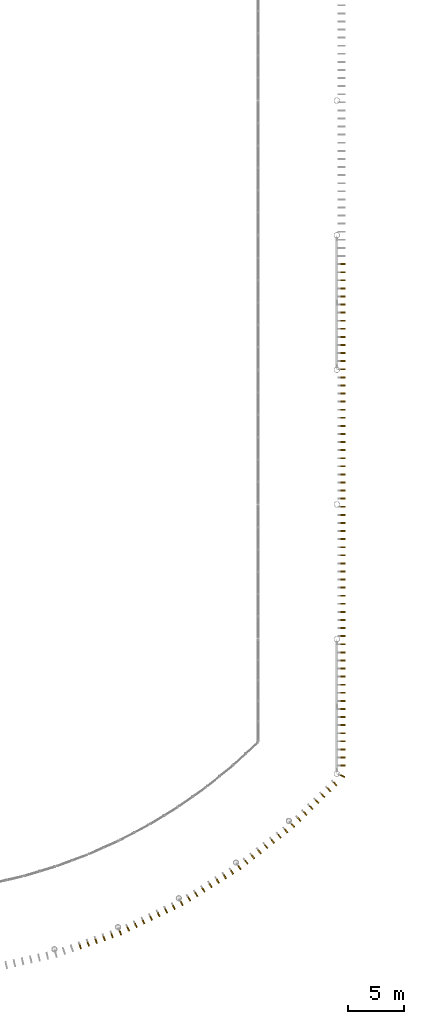
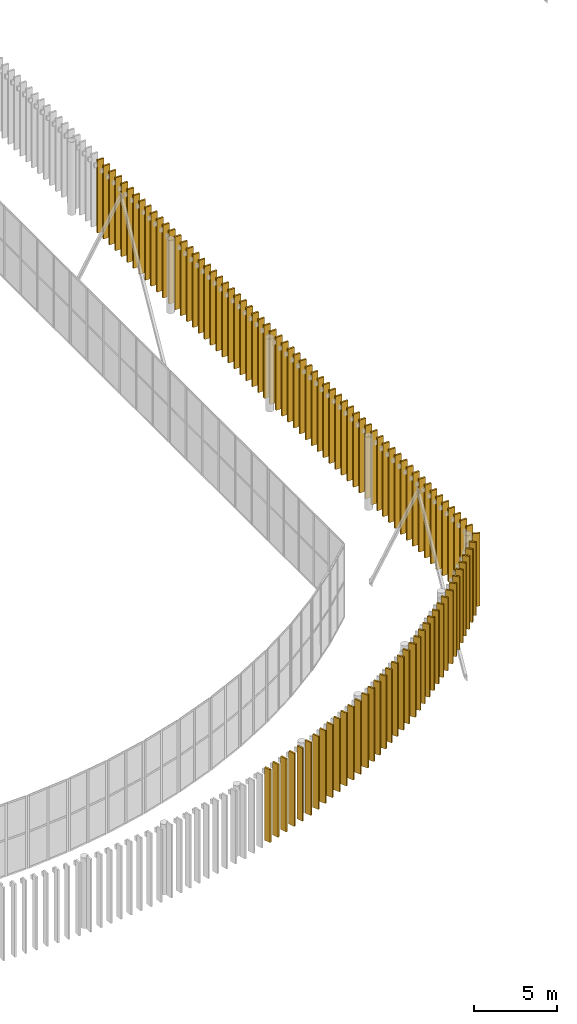
# One storey, part 158 of 170: 101 shading devices.
"""IFC4 building model written with IfcOpenShell, lengths in metres."""

from ifc_helpers import new_model, si_unit, direction, frame, origin, origin_2d, place, context, subcontext, project, spatial, rectangle, extrude, material, layer, layer_set, type_object, element, save


model = new_model("IFC4")

# Units and contexts
model_context = context("Model", 3, precision=1e-05, world=origin(), true_north=direction((0.0, 1.0)))
body_context = subcontext(model_context, "Body", "Model", "MODEL_VIEW")
ifc_project = project(units=[si_unit("LENGTHUNIT", "METRE"), si_unit("AREAUNIT", "SQUARE_METRE"), si_unit("VOLUMEUNIT", "CUBIC_METRE"), si_unit("PLANEANGLEUNIT", "RADIAN"), si_unit("MASSUNIT", "GRAM", prefix="KILO")], contexts=[model_context])

# Site, building, storey
site_placement = place(None, origin())
site = spatial("IfcSite", under=ifc_project, at=site_placement, CompositionType="ELEMENT")
building_placement = place(site_placement, origin())
building = spatial("IfcBuilding", under=site, at=building_placement, Name="Ravi Spectrum Wholesale Market", CompositionType="ELEMENT")
storey_placement = place(building_placement, frame((0.0, 0.0, 5.39990234375)))
storey = spatial("IfcBuildingStorey", under=building, at=storey_placement, Name="L01", CompositionType="ELEMENT", Elevation=5.39990234375)

# Shading devices
ifc_material_1 = material(Name="Glazed ceramic red 01")
ifc_layer_1 = layer(ifc_material_1, 0.1201171875)
ifc_layer_set_1 = layer_set([ifc_layer_1], Name="Glazed ceramic red 01")
shading_device_type_1 = type_object("IfcShadingDeviceType", Name="Glazed ceramic fin 01", PredefinedType="USERDEFINED", material=ifc_layer_set_1)
for number, where, z_axis, x_axis, name in (
    (1, (87.121337890625, 14.592041015625, 0.000244140625), (0.0, 0.0, 1.0), (0.944847087681, 0.32751180269, 0.0), "Fin F317 Glazed ceramic red 01"),
    (2, (87.830322265625, 14.837890625, 0.000244140625), (0.0, 0.0, 1.0), (0.944847087681, 0.32751180269, 0.0), "Fin F318 Glazed ceramic red 01"),
    (3, (88.539306640625, 15.08349609375, 0.000244140625), (0.0, 0.0, 1.0), (0.944847087681, 0.32751180269, 0.0), "Fin F319 Glazed ceramic red 01"),
    (4, (89.248291015625, 15.329345703125, 0.000244140625), (0.0, 0.0, 1.0), (0.944847087681, 0.32751180269, 0.0), "Fin F320 Glazed ceramic red 01"),
    (5, (89.957275390625, 15.574951171875, 0.000244140625), (0.0, 0.0, 1.0), (0.944847087681, 0.32751180269, 0.0), "Fin F321 Glazed ceramic red 01"),
    (6, (90.693359375, 15.8310546875, 0.000244140625), (0.0, 0.0, 1.0), (0.925182397026, 0.379522769057, 0.0), "Fin F322 Glazed ceramic red 01"),
    (7, (91.3974609375, 16.166015625, 0.000244140625), (0.0, 0.0, 1.0), (0.902657189799, 0.430360311488, 0.0), "Fin F323 Glazed ceramic red 01"),
    (8, (92.07470703125, 16.48876953125, 0.000244140625), (0.0, 0.0, 1.0), (0.902657189799, 0.430360311488, 0.0), "Fin F324 Glazed ceramic red 01"),
    (9, (92.752197265625, 16.811767578125, 0.000244140625), (0.0, 0.0, 1.0), (0.902657189799, 0.430360311488, 0.0), "Fin F325 Glazed ceramic red 01"),
    (10, (93.429443359375, 17.134765625, 0.000244140625), (0.0, 0.0, 1.0), (0.902657189799, 0.430360311488, 0.0), "Fin F326 Glazed ceramic red 01"),
    (11, (94.106689453125, 17.45751953125, 0.000244140625), (0.0, 0.0, 1.0), (0.902657189799, 0.430360311488, 0.0), "Fin F327 Glazed ceramic red 01"),
    (12, (94.7841796875, 17.780517578125, 0.000244140625), (0.0, 0.0, 1.0), (0.902657189799, 0.430360311488, 0.0), "Fin F328 Glazed ceramic red 01"),
    (13, (95.46142578125, 18.103515625, 0.000244140625), (0.0, 0.0, 1.0), (0.902657189799, 0.430360311488, 0.0), "Fin F329 Glazed ceramic red 01"),
    (14, (96.164794921875, 18.439697265625, 0.000244140625), (0.0, 0.0, 1.0), (0.877341110352, 0.4798672484, 0.0), "Fin F330 Glazed ceramic red 01"),
    (15, (96.827392578125, 18.8505859375, 0.000244140625), (0.0, 0.0, 1.0), (0.849312431968, 0.527890512232, 0.0), "Fin F331 Glazed ceramic red 01"),
    (16, (97.464599609375, 19.24658203125, 0.000244140625), (0.0, 0.0, 1.0), (0.849312431968, 0.527890512232, 0.0), "Fin F332 Glazed ceramic red 01"),
    (17, (98.101806640625, 19.642822265625, 0.000244140625), (0.0, 0.0, 1.0), (0.849312431968, 0.527890512232, 0.0), "Fin F333 Glazed ceramic red 01"),
):
    element("IfcShadingDevice", number, at=place(storey_placement, frame(where, z_axis=z_axis, x_axis=x_axis)), inside=storey, type_object=shading_device_type_1, Name=name, ObjectType="FIN", PredefinedType="USERDEFINED", context=body_context, shape_type="SweptSolid", body=[
        extrude(rectangle(XDim=0.1201171875, YDim=0.449951171875, at=origin_2d()), origin(), (0.0, 0.0, 1.0), 5.39990234375),
    ])
ifc_material_2 = material(Name="Glazed ceramic vermilion 02")
ifc_layer_2 = layer(ifc_material_2, 0.1201171875)
ifc_layer_set_2 = layer_set([ifc_layer_2], Name="Glazed ceramic vermilion 02")
shading_device_type_2 = type_object("IfcShadingDeviceType", Name="Glazed ceramic fin 02", PredefinedType="USERDEFINED", material=ifc_layer_set_2)
for number, where, z_axis, x_axis, name in (
    (18, (98.7392578125, 20.038818359375, 0.000244140625), (0.0, 0.0, 1.0), (0.849312431968, 0.527890512232, 0.0), "Fin F334 Glazed ceramic vermilion 02"),
    (19, (99.37646484375, 20.43505859375, 0.000244140625), (0.0, 0.0, 1.0), (0.849312431968, 0.527890512232, 0.0), "Fin F335 Glazed ceramic vermilion 02"),
    (20, (100.013671875, 20.8310546875, 0.000244140625), (0.0, 0.0, 1.0), (0.849312431968, 0.527890512232, 0.0), "Fin F336 Glazed ceramic vermilion 02"),
    (21, (100.651123046875, 21.227294921875, 0.000244140625), (0.0, 0.0, 1.0), (0.849312431968, 0.527890512232, 0.0), "Fin F337 Glazed ceramic vermilion 02"),
    (22, (101.312744140625, 21.639404296875, 0.000244140625), (0.0, 0.0, 1.0), (0.818657814856, 0.574281622703, 0.0), "Fin F338 Glazed ceramic vermilion 02"),
    (23, (101.925537109375, 22.121337890625, 0.000244140625), (0.0, 0.0, 1.0), (0.785472038209, 0.618897145891, 0.0), "Fin F339 Glazed ceramic vermilion 02"),
    (24, (102.514892578125, 22.585693359375, 0.000244140625), (0.0, 0.0, 1.0), (0.785472038209, 0.618897145891, 0.0), "Fin F340 Glazed ceramic vermilion 02"),
    (25, (103.104248046875, 23.050048828125, 0.000244140625), (0.0, 0.0, 1.0), (0.785472038209, 0.618897145891, 0.0), "Fin F341 Glazed ceramic vermilion 02"),
    (26, (103.693603515625, 23.514404296875, 0.000244140625), (0.0, 0.0, 1.0), (0.785472038209, 0.618897145891, 0.0), "Fin F342 Glazed ceramic vermilion 02"),
    (27, (104.283203125, 23.978759765625, 0.000244140625), (0.0, 0.0, 1.0), (0.785472038209, 0.618897145891, 0.0), "Fin F343 Glazed ceramic vermilion 02"),
    (28, (104.87255859375, 24.443115234375, 0.000244140625), (0.0, 0.0, 1.0), (0.785472038209, 0.618897145891, 0.0), "Fin F344 Glazed ceramic vermilion 02"),
    (29, (105.4619140625, 24.90771484375, 0.000244140625), (0.0, 0.0, 1.0), (0.785472038209, 0.618897145891, 0.0), "Fin F345 Glazed ceramic vermilion 02"),
    (30, (106.07373046875, 25.390625, 0.000244140625), (0.0, 0.0, 1.0), (0.74985770716, 0.661599137706, 0.0), "Fin F346 Glazed ceramic vermilion 02"),
    (31, (106.629150390625, 25.9375, 0.000244140625), (0.0, 0.0, 1.0), (0.711924935547, 0.702255570392, 0.0), "Fin F347 Glazed ceramic vermilion 02"),
    (32, (107.163330078125, 26.464599609375, 0.000244140625), (0.0, 0.0, 1.0), (0.711924935547, 0.702255570392, 0.0), "Fin F348 Glazed ceramic vermilion 02"),
    (33, (107.69775390625, 26.991455078125, 0.000244140625), (0.0, 0.0, 1.0), (0.711924935547, 0.702255570392, 0.0), "Fin F349 Glazed ceramic vermilion 02"),
):
    element("IfcShadingDevice", number, at=place(storey_placement, frame(where, z_axis=z_axis, x_axis=x_axis)), inside=storey, type_object=shading_device_type_2, Name=name, ObjectType="FIN", PredefinedType="USERDEFINED", context=body_context, shape_type="SweptSolid", body=[
        extrude(rectangle(XDim=0.1201171875, YDim=0.449951171875, at=origin_2d()), origin(), (0.0, 0.0, 1.0), 5.39990234375),
    ])
ifc_material_3 = material(Name="Glazed ceramic orange 03")
ifc_layer_3 = layer(ifc_material_3, 0.1201171875)
ifc_layer_set_3 = layer_set([ifc_layer_3], Name="Glazed ceramic orange 03")
shading_device_type_3 = type_object("IfcShadingDeviceType", Name="Glazed ceramic fin 03", PredefinedType="USERDEFINED", material=ifc_layer_set_3)
for number, where, z_axis, x_axis, name in (
    (34, (108.23193359375, 27.5185546875, 0.000244140625), (0.0, 0.0, 1.0), (0.711924935547, 0.702255570392, 0.0), "Fin F350 Glazed ceramic orange 03"),
    (35, (108.76611328125, 28.04541015625, 0.000244140625), (0.0, 0.0, 1.0), (0.711924935547, 0.702255570392, 0.0), "Fin F351 Glazed ceramic orange 03"),
    (36, (109.30029296875, 28.572265625, 0.000244140625), (0.0, 0.0, 1.0), (0.711924935547, 0.702255570392, 0.0), "Fin F352 Glazed ceramic orange 03"),
    (37, (109.83447265625, 29.099365234375, 0.000244140625), (0.0, 0.0, 1.0), (0.711924935547, 0.702255570392, 0.0), "Fin F353 Glazed ceramic orange 03"),
    (38, (110.484375, 29.79736328125, 0.000244140625), (0.0, 0.0, 1.0), (0.385839623157, 0.922565870387, 0.0), "Fin F354 Glazed ceramic orange 03"),
    (39, (110.52490234375, 30.720947265625, 0.000244140625), (0.0, 0.0, 1.0), (0.0, 1.0, 0.0), "Fin F355 Glazed ceramic orange 03"),
    (40, (110.52490234375, 31.442138671875, 0.000244140625), (0.0, 0.0, 1.0), (0.0, 1.0, 0.0), "Fin F356 Glazed ceramic orange 03"),
    (41, (110.52490234375, 32.1630859375, 0.000244140625), (0.0, 0.0, 1.0), (0.0, 1.0, 0.0), "Fin F357 Glazed ceramic orange 03"),
    (42, (110.52490234375, 32.884033203125, 0.000244140625), (0.0, 0.0, 1.0), (0.0, 1.0, 0.0), "Fin F358 Glazed ceramic orange 03"),
    (43, (110.52490234375, 33.605224609375, 0.000244140625), (0.0, 0.0, 1.0), (0.0, 1.0, 0.0), "Fin F359 Glazed ceramic orange 03"),
    (44, (110.52490234375, 34.326171875, 0.000244140625), (0.0, 0.0, 1.0), (0.0, 1.0, 0.0), "Fin F360 Glazed ceramic orange 03"),
    (45, (110.52490234375, 35.047119140625, 0.000244140625), (0.0, 0.0, 1.0), (0.0, 1.0, 0.0), "Fin F361 Glazed ceramic orange 03"),
):
    element("IfcShadingDevice", number, at=place(storey_placement, frame(where, z_axis=z_axis, x_axis=x_axis)), inside=storey, type_object=shading_device_type_3, Name=name, ObjectType="FIN", PredefinedType="USERDEFINED", context=body_context, shape_type="SweptSolid", body=[
        extrude(rectangle(XDim=0.1201171875, YDim=0.449951171875, at=origin_2d()), origin(), (0.0, 0.0, 1.0), 5.39990234375),
    ])
ifc_material_4 = material(Name="Glazed ceramic orange 04")
ifc_layer_4 = layer(ifc_material_4, 0.1201171875)
ifc_layer_set_4 = layer_set([ifc_layer_4], Name="Glazed ceramic orange 04")
shading_device_type_4 = type_object("IfcShadingDeviceType", Name="Glazed ceramic fin 04", PredefinedType="USERDEFINED", material=ifc_layer_set_4)
for number, where, z_axis, x_axis, name in (
    (46, (110.52490234375, 35.768310546875, 0.000244140625), (0.0, 0.0, 1.0), (0.0, 1.0, 0.0), "Fin F362 Glazed ceramic orange 04"),
    (47, (110.52490234375, 36.4892578125, 0.000244140625), (0.0, 0.0, 1.0), (0.0, 1.0, 0.0), "Fin F363 Glazed ceramic orange 04"),
    (48, (110.52490234375, 37.210205078125, 0.000244140625), (0.0, 0.0, 1.0), (0.0, 1.0, 0.0), "Fin F364 Glazed ceramic orange 04"),
    (49, (110.52490234375, 37.931396484375, 0.000244140625), (0.0, 0.0, 1.0), (0.0, 1.0, 0.0), "Fin F365 Glazed ceramic orange 04"),
    (50, (110.52490234375, 38.65234375, 0.000244140625), (0.0, 0.0, 1.0), (0.0, 1.0, 0.0), "Fin F366 Glazed ceramic orange 04"),
    (51, (110.52490234375, 39.373291015625, 0.000244140625), (0.0, 0.0, 1.0), (0.0, 1.0, 0.0), "Fin F367 Glazed ceramic orange 04"),
    (52, (110.52490234375, 40.094482421875, 0.000244140625), (0.0, 0.0, 1.0), (0.0, 1.0, 0.0), "Fin F368 Glazed ceramic orange 04"),
    (53, (110.52490234375, 40.8154296875, 0.000244140625), (0.0, 0.0, 1.0), (0.0, 1.0, 0.0), "Fin F369 Glazed ceramic orange 04"),
    (54, (110.52490234375, 41.536376953125, 0.000244140625), (0.0, 0.0, 1.0), (0.0, 1.0, 0.0), "Fin F370 Glazed ceramic orange 04"),
    (55, (110.52490234375, 42.257568359375, 0.000244140625), (0.0, 0.0, 1.0), (0.0, 1.0, 0.0), "Fin F371 Glazed ceramic orange 04"),
    (56, (110.52490234375, 42.978515625, 0.000244140625), (0.0, 0.0, 1.0), (0.0, 1.0, 0.0), "Fin F372 Glazed ceramic orange 04"),
):
    element("IfcShadingDevice", number, at=place(storey_placement, frame(where, z_axis=z_axis, x_axis=x_axis)), inside=storey, type_object=shading_device_type_4, Name=name, ObjectType="FIN", PredefinedType="USERDEFINED", context=body_context, shape_type="SweptSolid", body=[
        extrude(rectangle(XDim=0.1201171875, YDim=0.449951171875, at=origin_2d()), origin(), (0.0, 0.0, 1.0), 5.39990234375),
    ])
ifc_material_5 = material(Name="Glazed ceramic amber 05")
ifc_layer_5 = layer(ifc_material_5, 0.1201171875)
ifc_layer_set_5 = layer_set([ifc_layer_5], Name="Glazed ceramic amber 05")
shading_device_type_5 = type_object("IfcShadingDeviceType", Name="Glazed ceramic fin 05", PredefinedType="USERDEFINED", material=ifc_layer_set_5)
for number, where, z_axis, x_axis, name in (
    (57, (110.52490234375, 43.699462890625, 0.000244140625), (0.0, 0.0, 1.0), (0.0, 1.0, 0.0), "Fin F373 Glazed ceramic amber 05"),
    (58, (110.52490234375, 44.420654296875, 0.000244140625), (0.0, 0.0, 1.0), (0.0, 1.0, 0.0), "Fin F374 Glazed ceramic amber 05"),
    (59, (110.52490234375, 45.1416015625, 0.000244140625), (0.0, 0.0, 1.0), (0.0, 1.0, 0.0), "Fin F375 Glazed ceramic amber 05"),
    (60, (110.52490234375, 45.862548828125, 0.000244140625), (0.0, 0.0, 1.0), (0.0, 1.0, 0.0), "Fin F376 Glazed ceramic amber 05"),
    (61, (110.52490234375, 46.583740234375, 0.000244140625), (0.0, 0.0, 1.0), (0.0, 1.0, 0.0), "Fin F377 Glazed ceramic amber 05"),
    (62, (110.52490234375, 47.3046875, 0.000244140625), (0.0, 0.0, 1.0), (0.0, 1.0, 0.0), "Fin F378 Glazed ceramic amber 05"),
    (63, (110.52490234375, 48.025634765625, 0.000244140625), (0.0, 0.0, 1.0), (0.0, 1.0, 0.0), "Fin F379 Glazed ceramic amber 05"),
    (64, (110.52490234375, 48.746826171875, 0.000244140625), (0.0, 0.0, 1.0), (0.0, 1.0, 0.0), "Fin F380 Glazed ceramic amber 05"),
    (65, (110.52490234375, 49.4677734375, 0.000244140625), (0.0, 0.0, 1.0), (0.0, 1.0, 0.0), "Fin F381 Glazed ceramic amber 05"),
    (66, (110.52490234375, 50.188720703125, 0.000244140625), (0.0, 0.0, 1.0), (0.0, 1.0, 0.0), "Fin F382 Glazed ceramic amber 05"),
    (67, (110.52490234375, 50.909912109375, 0.000244140625), (0.0, 0.0, 1.0), (0.0, 1.0, 0.0), "Fin F383 Glazed ceramic amber 05"),
):
    element("IfcShadingDevice", number, at=place(storey_placement, frame(where, z_axis=z_axis, x_axis=x_axis)), inside=storey, type_object=shading_device_type_5, Name=name, ObjectType="FIN", PredefinedType="USERDEFINED", context=body_context, shape_type="SweptSolid", body=[
        extrude(rectangle(XDim=0.1201171875, YDim=0.449951171875, at=origin_2d()), origin(), (0.0, 0.0, 1.0), 5.39990234375),
    ])
ifc_material_6 = material(Name="Glazed ceramic yellow 06")
ifc_layer_6 = layer(ifc_material_6, 0.1201171875)
ifc_layer_set_6 = layer_set([ifc_layer_6], Name="Glazed ceramic yellow 06")
shading_device_type_6 = type_object("IfcShadingDeviceType", Name="Glazed ceramic fin 06", PredefinedType="USERDEFINED", material=ifc_layer_set_6)
for number, where, z_axis, x_axis, name in (
    (68, (110.52490234375, 51.630859375, 0.000244140625), (0.0, 0.0, 1.0), (0.0, 1.0, 0.0), "Fin F384 Glazed ceramic yellow 06"),
    (69, (110.52490234375, 52.35205078125, 0.000244140625), (0.0, 0.0, 1.0), (0.0, 1.0, 0.0), "Fin F385 Glazed ceramic yellow 06"),
    (70, (110.52490234375, 53.072998046875, 0.000244140625), (0.0, 0.0, 1.0), (0.0, 1.0, 0.0), "Fin F386 Glazed ceramic yellow 06"),
    (71, (110.52490234375, 53.7939453125, 0.000244140625), (0.0, 0.0, 1.0), (0.0, 1.0, 0.0), "Fin F387 Glazed ceramic yellow 06"),
    (72, (110.52490234375, 54.51513671875, 0.000244140625), (0.0, 0.0, 1.0), (0.0, 1.0, 0.0), "Fin F388 Glazed ceramic yellow 06"),
    (73, (110.52490234375, 55.236083984375, 0.000244140625), (0.0, 0.0, 1.0), (0.0, 1.0, 0.0), "Fin F389 Glazed ceramic yellow 06"),
    (74, (110.52490234375, 55.95703125, 0.000244140625), (0.0, 0.0, 1.0), (0.0, 1.0, 0.0), "Fin F390 Glazed ceramic yellow 06"),
    (75, (110.52490234375, 56.67822265625, 0.000244140625), (0.0, 0.0, 1.0), (0.0, 1.0, 0.0), "Fin F391 Glazed ceramic yellow 06"),
    (76, (110.52490234375, 57.399169921875, 0.000244140625), (0.0, 0.0, 1.0), (0.0, 1.0, 0.0), "Fin F392 Glazed ceramic yellow 06"),
    (77, (110.52490234375, 58.1201171875, 0.000244140625), (0.0, 0.0, 1.0), (0.0, 1.0, 0.0), "Fin F393 Glazed ceramic yellow 06"),
):
    element("IfcShadingDevice", number, at=place(storey_placement, frame(where, z_axis=z_axis, x_axis=x_axis)), inside=storey, type_object=shading_device_type_6, Name=name, ObjectType="FIN", PredefinedType="USERDEFINED", context=body_context, shape_type="SweptSolid", body=[
        extrude(rectangle(XDim=0.1201171875, YDim=0.449951171875, at=origin_2d()), origin(), (0.0, 0.0, 1.0), 5.39990234375),
    ])
ifc_material_7 = material(Name="Glazed ceramic yellow 07")
ifc_layer_7 = layer(ifc_material_7, 0.1201171875)
ifc_layer_set_7 = layer_set([ifc_layer_7], Name="Glazed ceramic yellow 07")
shading_device_type_7 = type_object("IfcShadingDeviceType", Name="Glazed ceramic fin 07", PredefinedType="USERDEFINED", material=ifc_layer_set_7)
for number, where, z_axis, x_axis, name in (
    (78, (110.52490234375, 58.84130859375, 0.000244140625), (0.0, 0.0, 1.0), (0.0, 1.0, 0.0), "Fin F394 Glazed ceramic yellow 07"),
    (79, (110.52490234375, 59.562255859375, 0.000244140625), (0.0, 0.0, 1.0), (0.0, 1.0, 0.0), "Fin F395 Glazed ceramic yellow 07"),
    (80, (110.52490234375, 60.283203125, 0.000244140625), (0.0, 0.0, 1.0), (0.0, 1.0, 0.0), "Fin F396 Glazed ceramic yellow 07"),
    (81, (110.52490234375, 61.00439453125, 0.000244140625), (0.0, 0.0, 1.0), (0.0, 1.0, 0.0), "Fin F397 Glazed ceramic yellow 07"),
    (82, (110.52490234375, 61.725341796875, 0.000244140625), (0.0, 0.0, 1.0), (0.0, 1.0, 0.0), "Fin F398 Glazed ceramic yellow 07"),
    (83, (110.52490234375, 62.4462890625, 0.000244140625), (0.0, 0.0, 1.0), (0.0, 1.0, 0.0), "Fin F399 Glazed ceramic yellow 07"),
    (84, (110.52490234375, 63.16748046875, 0.000244140625), (0.0, 0.0, 1.0), (0.0, 1.0, 0.0), "Fin F400 Glazed ceramic yellow 07"),
    (85, (110.52490234375, 63.888427734375, 0.000244140625), (0.0, 0.0, 1.0), (0.0, 1.0, 0.0), "Fin F401 Glazed ceramic yellow 07"),
    (86, (110.52490234375, 64.609375, 0.000244140625), (0.0, 0.0, 1.0), (0.0, 1.0, 0.0), "Fin F402 Glazed ceramic yellow 07"),
    (87, (110.52490234375, 65.33056640625, 0.000244140625), (0.0, 0.0, 1.0), (0.0, 1.0, 0.0), "Fin F403 Glazed ceramic yellow 07"),
    (88, (110.52490234375, 66.051513671875, 0.000244140625), (0.0, 0.0, 1.0), (0.0, 1.0, 0.0), "Fin F404 Glazed ceramic yellow 07"),
):
    element("IfcShadingDevice", number, at=place(storey_placement, frame(where, z_axis=z_axis, x_axis=x_axis)), inside=storey, type_object=shading_device_type_7, Name=name, ObjectType="FIN", PredefinedType="USERDEFINED", context=body_context, shape_type="SweptSolid", body=[
        extrude(rectangle(XDim=0.1201171875, YDim=0.449951171875, at=origin_2d()), origin(), (0.0, 0.0, 1.0), 5.39990234375),
    ])
ifc_material_8 = material(Name="Glazed ceramic lime 08")
ifc_layer_8 = layer(ifc_material_8, 0.1201171875)
ifc_layer_set_8 = layer_set([ifc_layer_8], Name="Glazed ceramic lime 08")
shading_device_type_8 = type_object("IfcShadingDeviceType", Name="Glazed ceramic fin 08", PredefinedType="USERDEFINED", material=ifc_layer_set_8)
for number, where, z_axis, x_axis, name in (
    (89, (110.52490234375, 66.7724609375, 0.000244140625), (0.0, 0.0, 1.0), (0.0, 1.0, 0.0), "Fin F405 Glazed ceramic lime 08"),
    (90, (110.52490234375, 67.49365234375, 0.000244140625), (0.0, 0.0, 1.0), (0.0, 1.0, 0.0), "Fin F406 Glazed ceramic lime 08"),
    (91, (110.52490234375, 68.214599609375, 0.000244140625), (0.0, 0.0, 1.0), (0.0, 1.0, 0.0), "Fin F407 Glazed ceramic lime 08"),
    (92, (110.52490234375, 68.935546875, 0.000244140625), (0.0, 0.0, 1.0), (0.0, 1.0, 0.0), "Fin F408 Glazed ceramic lime 08"),
    (93, (110.52490234375, 69.65673828125, 0.000244140625), (0.0, 0.0, 1.0), (0.0, 1.0, 0.0), "Fin F409 Glazed ceramic lime 08"),
    (94, (110.52490234375, 70.377685546875, 0.000244140625), (0.0, 0.0, 1.0), (0.0, 1.0, 0.0), "Fin F410 Glazed ceramic lime 08"),
    (95, (110.52490234375, 71.0986328125, 0.000244140625), (0.0, 0.0, 1.0), (0.0, 1.0, 0.0), "Fin F411 Glazed ceramic lime 08"),
    (96, (110.52490234375, 71.81982421875, 0.000244140625), (0.0, 0.0, 1.0), (0.0, 1.0, 0.0), "Fin F412 Glazed ceramic lime 08"),
    (97, (110.52490234375, 72.540771484375, 0.000244140625), (0.0, 0.0, 1.0), (0.0, 1.0, 0.0), "Fin F413 Glazed ceramic lime 08"),
    (98, (110.52490234375, 73.26171875, 0.000244140625), (0.0, 0.0, 1.0), (0.0, 1.0, 0.0), "Fin F414 Glazed ceramic lime 08"),
    (99, (110.52490234375, 73.98291015625, 0.000244140625), (0.0, 0.0, 1.0), (0.0, 1.0, 0.0), "Fin F415 Glazed ceramic lime 08"),
):
    element("IfcShadingDevice", number, at=place(storey_placement, frame(where, z_axis=z_axis, x_axis=x_axis)), inside=storey, type_object=shading_device_type_8, Name=name, ObjectType="FIN", PredefinedType="USERDEFINED", context=body_context, shape_type="SweptSolid", body=[
        extrude(rectangle(XDim=0.1201171875, YDim=0.449951171875, at=origin_2d()), origin(), (0.0, 0.0, 1.0), 5.39990234375),
    ])
ifc_material_9 = material(Name="Glazed ceramic lime 09")
ifc_layer_9 = layer(ifc_material_9, 0.1201171875)
ifc_layer_set_9 = layer_set([ifc_layer_9], Name="Glazed ceramic lime 09")
shading_device_type_9 = type_object("IfcShadingDeviceType", Name="Glazed ceramic fin 09", PredefinedType="USERDEFINED", material=ifc_layer_set_9)
for number, where, z_axis, x_axis, name in (
    (100, (110.52490234375, 74.703857421875, 0.000244140625), (0.0, 0.0, 1.0), (0.0, 1.0, 0.0), "Fin F416 Glazed ceramic lime 09"),
    (101, (110.52490234375, 75.4248046875, 0.000244140625), (0.0, 0.0, 1.0), (0.0, 1.0, 0.0), "Fin F417 Glazed ceramic lime 09"),
):
    element("IfcShadingDevice", number, at=place(storey_placement, frame(where, z_axis=z_axis, x_axis=x_axis)), inside=storey, type_object=shading_device_type_9, Name=name, ObjectType="FIN", PredefinedType="USERDEFINED", context=body_context, shape_type="SweptSolid", body=[
        extrude(rectangle(XDim=0.1201171875, YDim=0.449951171875, at=origin_2d()), origin(), (0.0, 0.0, 1.0), 5.39990234375),
    ])

save(model, "model.ifc")
